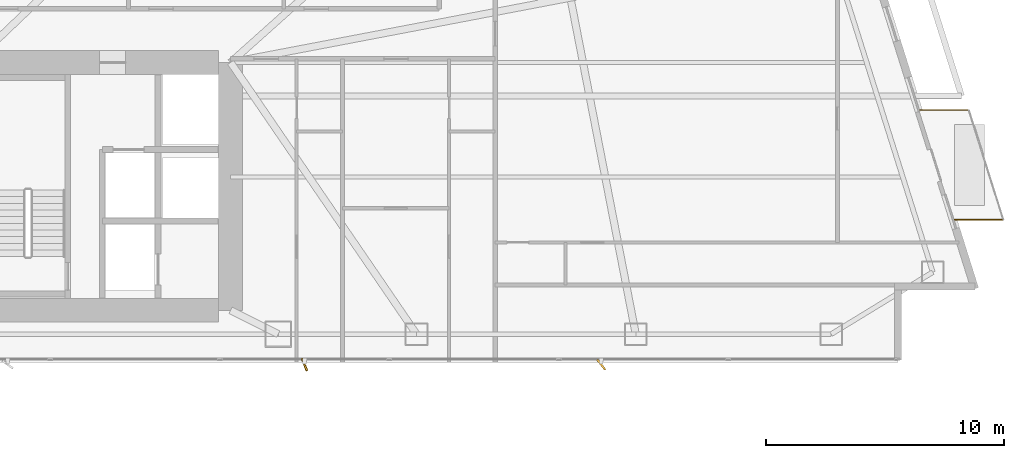
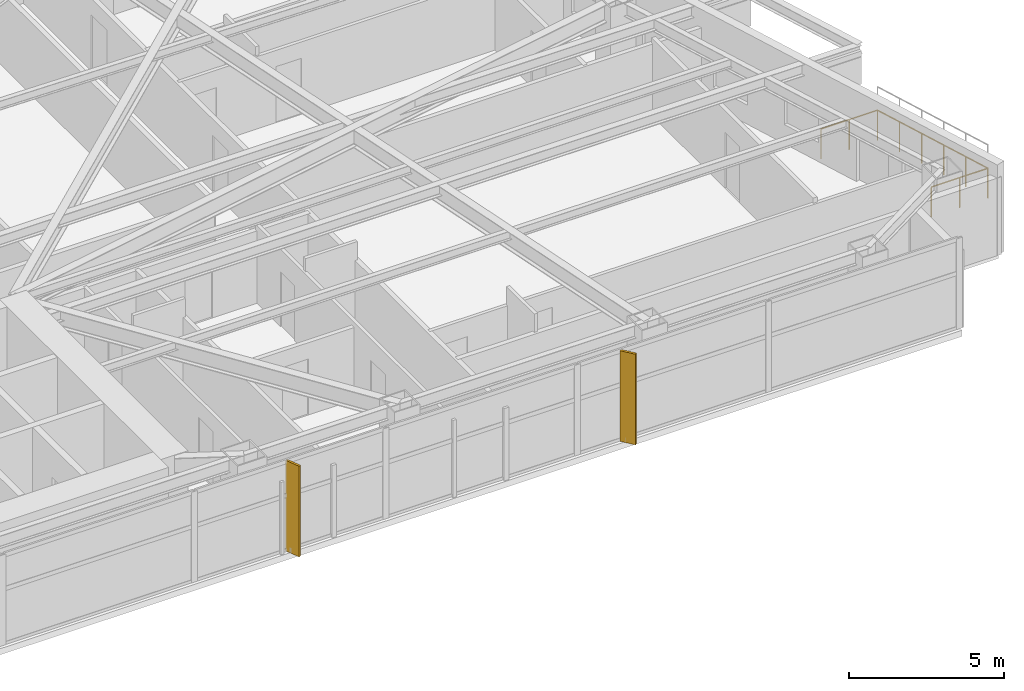
# One storey, part 29 of 30: 2 shading devices, 1 railing.
"""IFC4 building model written with IfcOpenShell, lengths in metres."""

from ifc_helpers import new_model, si_unit, direction, frame, origin, origin_2d, place, context, subcontext, project, spatial, rectangle, circle, extrude, material, type_object, element, save


model = new_model("IFC4")

# Units and contexts
model_context = context("Model", 3, precision=1e-05, world=origin(), true_north=direction((0.0, 1.0)))
body_context = subcontext(model_context, "Body", "Model", "MODEL_VIEW")
ifc_project = project(units=[si_unit("LENGTHUNIT", "METRE"), si_unit("AREAUNIT", "SQUARE_METRE"), si_unit("VOLUMEUNIT", "CUBIC_METRE"), si_unit("PLANEANGLEUNIT", "RADIAN"), si_unit("MASSUNIT", "GRAM", prefix="KILO")], contexts=[model_context])

# Site, building, storey
site_placement = place(None, origin())
site = spatial("IfcSite", under=ifc_project, at=site_placement, CompositionType="ELEMENT")
building_placement = place(site_placement, origin())
building = spatial("IfcBuilding", under=site, at=building_placement, Name="Calvorn Quay Hotel", CompositionType="ELEMENT")
storey_placement = place(building_placement, frame((0.0, 0.0, 77.39990234375)))
storey = spatial("IfcBuildingStorey", under=building, at=storey_placement, Name="L18", CompositionType="ELEMENT", Elevation=77.39990234375)

# Railing
ifc_material_1 = material(Name="Pale Anodised Aluminium and Laminated Glass", Category="aluminium")
railing_type = type_object("IfcRailingType", Name="RLG-BALUSTRADE-1200", PredefinedType="BALUSTRADE", material=ifc_material_1)
railing_placement = place(storey_placement, frame((62.72802734375, 8.39990234375, 0.0)))
element("IfcRailing", 1, at=railing_placement, inside=storey, type_object=railing_type, Name="Tree Balcony Perimeter Balustrade L18-BALC-E", PredefinedType="BALUSTRADE", context=body_context, shape_type="SweptSolid", body=[
    extrude(circle(Radius=0.02392578125, at=origin_2d()), frame((0.0, 0.0, 1.17578125), z_axis=(1.0, 0.0, 0.0), x_axis=(0.0, 1.0, 0.0)), (0.0, 0.0, 1.0), 2.099853515625),
    extrude(circle(Radius=0.02392578125, at=origin_2d()), frame((2.099853515625, 0.0, 1.17578125), z_axis=(-0.300620172346, 0.953743944662, 0.0), x_axis=(-0.953743944662, -0.300620172346, 0.0)), (0.0, 0.0, 1.0), 4.8232421875),
    extrude(circle(Radius=0.02392578125, at=origin_2d()), frame((0.64990234375, 4.60009765625, 1.17578125), z_axis=(-1.0, 0.0, 0.0), x_axis=(0.0, -1.0, 0.0)), (0.0, 0.0, 1.0), 2.099853515625),
    extrude(circle(Radius=0.02099609375, at=origin_2d()), origin(), (0.0, 0.0, 1.0), 1.15185546875),
    extrude(circle(Radius=0.02099609375, at=origin_2d()), frame((1.0498046875, 0.0, 0.0)), (0.0, 0.0, 1.0), 1.15185546875),
    extrude(circle(Radius=0.02099609375, at=origin_2d()), frame((2.099853515625, 0.0, 0.0)), (0.0, 0.0, 1.0), 1.15185546875),
    extrude(circle(Radius=0.02099609375, at=origin_2d()), frame((1.809814453125, 0.919921875, 0.0)), (0.0, 0.0, 1.0), 1.15185546875),
    extrude(circle(Radius=0.02099609375, at=origin_2d()), frame((1.519775390625, 1.840087890625, 0.0)), (0.0, 0.0, 1.0), 1.15185546875),
    extrude(circle(Radius=0.02099609375, at=origin_2d()), frame((1.22998046875, 2.760009765625, 0.0)), (0.0, 0.0, 1.0), 1.15185546875),
    extrude(circle(Radius=0.02099609375, at=origin_2d()), frame((0.93994140625, 3.68017578125, 0.0)), (0.0, 0.0, 1.0), 1.15185546875),
    extrude(circle(Radius=0.02099609375, at=origin_2d()), frame((0.64990234375, 4.60009765625, 0.0)), (0.0, 0.0, 1.0), 1.15185546875),
    extrude(circle(Radius=0.02099609375, at=origin_2d()), frame((-0.39990234375, 4.60009765625, 0.0)), (0.0, 0.0, 1.0), 1.15185546875),
    extrude(circle(Radius=0.02099609375, at=origin_2d()), frame((-1.449951171875, 4.60009765625, 0.0)), (0.0, 0.0, 1.0), 1.15185546875),
])

# Shading devices
ifc_material_2 = material(Name="Champagne Bronze Anodised Aluminium 6063-T6", Category="aluminium")
shading_device_type_1 = type_object("IfcShadingDeviceType", Name="SHD-FIN-A1", PredefinedType="USERDEFINED", material=ifc_material_2)
shading_device_1_placement = place(storey_placement, frame((35.5, 2.320068359375, 0.0), z_axis=(0.0, 0.0, 1.0), x_axis=(-0.374606593416, 0.927183854567, 0.0)))
element("IfcShadingDevice", 2, at=shading_device_1_placement, inside=storey, type_object=shading_device_type_1, Name="Diagonal Sun-Shading Fin L18-S02", ObjectType="FIN", PredefinedType="USERDEFINED", context=body_context, shape_type="SweptSolid", body=[
    extrude(rectangle(XDim=0.550048828125, YDim=0.080078125, at=origin_2d()), origin(), (0.0, 0.0, 1.0), 3.56005859375),
])
ifc_material_3 = material(Name="Champagne Bronze Anodised Aluminium 6063-T6", Category="aluminium")
shading_device_type_2 = type_object("IfcShadingDeviceType", Name="SHD-FIN-A2", PredefinedType="USERDEFINED", material=ifc_material_3)
shading_device_2_placement = place(storey_placement, frame((47.949951171875, 2.320068359375, 0.0), z_axis=(0.0, 0.0, 1.0), x_axis=(-0.615661475326, 0.788010753607, 0.0)))
element("IfcShadingDevice", 3, at=shading_device_2_placement, inside=storey, type_object=shading_device_type_2, Name="Diagonal Sun-Shading Fin L18-S03", ObjectType="FIN", PredefinedType="USERDEFINED", context=body_context, shape_type="SweptSolid", body=[
    extrude(rectangle(XDim=0.550048828125, YDim=0.080078125, at=origin_2d()), origin(), (0.0, 0.0, 1.0), 3.56005859375),
])

save(model, "model.ifc")
